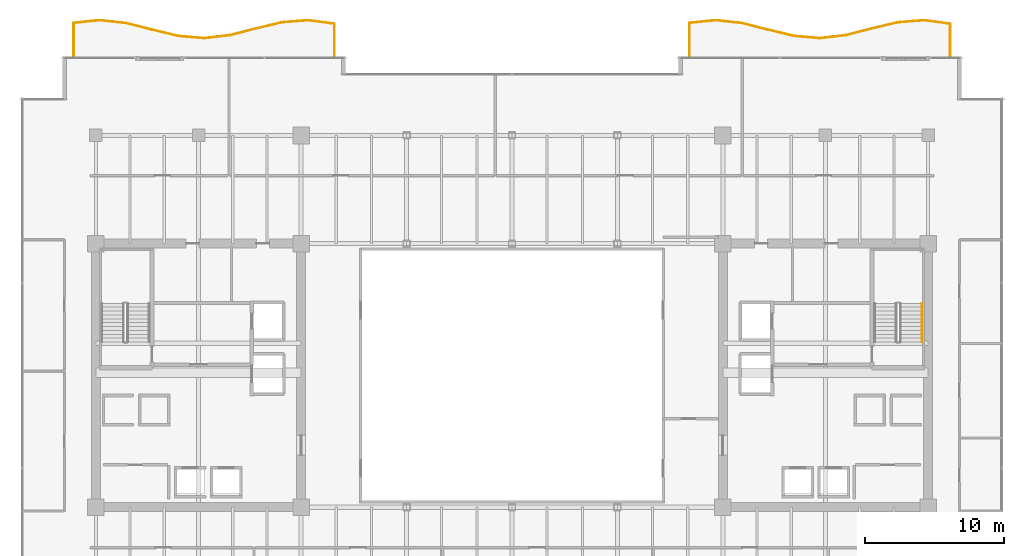
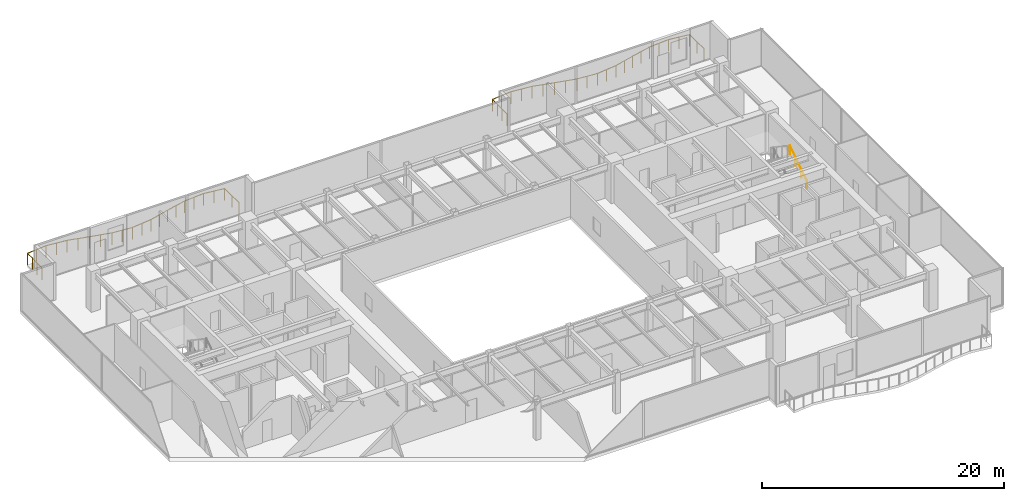
# One storey, part 30 of 30: 3 railings.
"""IFC4 building model written with IfcOpenShell, lengths in metres."""

from ifc_helpers import new_model, si_unit, direction, frame, origin, origin_2d, place, context, subcontext, project, spatial, circle, extrude, source, transform, mapped, material, type_object, type_shapes, element, save


model = new_model("IFC4")

# Units and contexts
model_context = context("Model", 3, precision=1e-05, world=origin(), true_north=direction((0.0, 1.0)))
body_context = subcontext(model_context, "Body", "Model", "MODEL_VIEW")
ifc_project = project(units=[si_unit("LENGTHUNIT", "METRE"), si_unit("AREAUNIT", "SQUARE_METRE"), si_unit("VOLUMEUNIT", "CUBIC_METRE"), si_unit("PLANEANGLEUNIT", "RADIAN"), si_unit("MASSUNIT", "GRAM", prefix="KILO")], contexts=[model_context])

# Site, building, storey
site_placement = place(None, origin())
site = spatial("IfcSite", under=ifc_project, at=site_placement, CompositionType="ELEMENT")
building_placement = place(site_placement, origin())
building = spatial("IfcBuilding", under=site, at=building_placement, Name="Haelvirn Gate Laboratories", CompositionType="ELEMENT")
storey_placement = place(building_placement, frame((0.0, 0.0, 146.10009765625)))
storey = spatial("IfcBuildingStorey", under=building, at=storey_placement, Name="L35", CompositionType="ELEMENT", Elevation=146.10009765625)

# Railings
ifc_material_1 = material(Name="Laminated safety glass & bronze stainless steel 316L", Category="steel")
railing_type_1 = type_object("IfcRailingType", Name="RLG-BAL-1200", PredefinedType="BALUSTRADE", material=ifc_material_1)
shared_shape_1 = source(origin(), body_context, "Body", "SweptSolid", [
    extrude(circle(Radius=0.02392578125, at=origin_2d()), frame((0.0, 0.0, 1.17578125), z_axis=(0.0, 1.0, 0.0), x_axis=(-1.0, 0.0, 0.0)), (0.0, 0.0, 1.0), 2.40966796875),
    extrude(circle(Radius=0.02392578125, at=origin_2d()), frame((0.0, 2.40966796875, 1.17578125), z_axis=(0.994921385933, 0.10065503372, 0.0), x_axis=(-0.10065503372, 0.994921385933, 0.0)), (0.0, 0.0, 1.0), 1.889404296875),
    extrude(circle(Radius=0.02392578125, at=origin_2d()), frame((1.8798828125, 2.599853515625, 1.17578125), z_axis=(0.994269522275, -0.106902371698, 0.0), x_axis=(0.106902371698, 0.994269522275, 0.0)), (0.0, 0.0, 1.0), 1.890869140625),
    extrude(circle(Radius=0.02392578125, at=origin_2d()), frame((3.760009765625, 2.397705078125, 1.17578125), z_axis=(0.969815635384, -0.243839359754, 0.0), x_axis=(0.243839359754, 0.969815635384, 0.0)), (0.0, 0.0, 1.0), 1.9384765625),
    extrude(circle(Radius=0.02392578125, at=origin_2d()), frame((5.639892578125, 1.925048828125, 1.17578125), z_axis=(0.971644887849, -0.23644494479, 0.0), x_axis=(0.23644494479, 0.971644887849, 0.0)), (0.0, 0.0, 1.0), 1.93505859375),
    extrude(circle(Radius=0.02392578125, at=origin_2d()), frame((7.52001953125, 1.467529296875, 1.17578125), z_axis=(0.996111840185, -0.088097683528, 0.0), x_axis=(0.088097683528, 0.996111840185, 0.0)), (0.0, 0.0, 1.0), 1.88720703125),
    extrude(circle(Radius=0.02392578125, at=origin_2d()), frame((9.39990234375, 1.30126953125, 1.17578125), z_axis=(0.992878668586, 0.119129968806, 0.0), x_axis=(-0.119129968806, 0.992878668586, 0.0)), (0.0, 0.0, 1.0), 1.8935546875),
    extrude(circle(Radius=0.02392578125, at=origin_2d()), frame((11.280029296875, 1.52685546875, 1.17578125), z_axis=(0.968795678739, 0.247860712612, 0.0), x_axis=(-0.247860712612, 0.968795678739, 0.0)), (0.0, 0.0, 1.0), 1.9404296875),
    extrude(circle(Radius=0.02392578125, at=origin_2d()), frame((13.159912109375, 2.0078125, 1.17578125), z_axis=(0.972992976677, 0.230834718658, 0.0), x_axis=(-0.230834718658, 0.972992976677, 0.0)), (0.0, 0.0, 1.0), 1.932373046875),
    extrude(circle(Radius=0.02392578125, at=origin_2d()), frame((15.0400390625, 2.453857421875, 1.17578125), z_axis=(0.997165403901, 0.075240662294, 0.0), x_axis=(-0.075240662294, 0.997165403901, 0.0)), (0.0, 0.0, 1.0), 1.88525390625),
    extrude(circle(Radius=0.02392578125, at=origin_2d()), frame((16.919921875, 2.595703125, 1.17578125), z_axis=(0.991392401811, -0.130924045272, 0.0), x_axis=(0.130924045272, 0.991392401811, 0.0)), (0.0, 0.0, 1.0), 1.896484375),
    extrude(circle(Radius=0.02392578125, at=origin_2d()), frame((18.800048828125, 2.347412109375, 1.17578125), z_axis=(0.0, -1.0, 0.0), x_axis=(1.0, 0.0, 0.0)), (0.0, 0.0, 1.0), 2.347412109375),
    extrude(circle(Radius=0.02099609375, at=origin_2d()), origin(), (0.0, 0.0, 1.0), 1.15185546875),
    extrude(circle(Radius=0.02099609375, at=origin_2d()), frame((0.0, 0.80322265625, 0.0)), (0.0, 0.0, 1.0), 1.15185546875),
    extrude(circle(Radius=0.02099609375, at=origin_2d()), frame((0.0, 1.6064453125, 0.0)), (0.0, 0.0, 1.0), 1.15185546875),
    extrude(circle(Radius=0.02099609375, at=origin_2d()), frame((0.0, 2.40966796875, 0.0)), (0.0, 0.0, 1.0), 1.15185546875),
    extrude(circle(Radius=0.02099609375, at=origin_2d()), frame((0.93994140625, 2.5048828125, 0.0)), (0.0, 0.0, 1.0), 1.15185546875),
    extrude(circle(Radius=0.02099609375, at=origin_2d()), frame((1.8798828125, 2.599853515625, 0.0)), (0.0, 0.0, 1.0), 1.15185546875),
    extrude(circle(Radius=0.02099609375, at=origin_2d()), frame((2.81982421875, 2.498779296875, 0.0)), (0.0, 0.0, 1.0), 1.15185546875),
    extrude(circle(Radius=0.02099609375, at=origin_2d()), frame((3.760009765625, 2.397705078125, 0.0)), (0.0, 0.0, 1.0), 1.15185546875),
    extrude(circle(Radius=0.02099609375, at=origin_2d()), frame((4.699951171875, 2.161376953125, 0.0)), (0.0, 0.0, 1.0), 1.15185546875),
    extrude(circle(Radius=0.02099609375, at=origin_2d()), frame((5.639892578125, 1.925048828125, 0.0)), (0.0, 0.0, 1.0), 1.15185546875),
    extrude(circle(Radius=0.02099609375, at=origin_2d()), frame((6.580078125, 1.6962890625, 0.0)), (0.0, 0.0, 1.0), 1.15185546875),
    extrude(circle(Radius=0.02099609375, at=origin_2d()), frame((7.52001953125, 1.467529296875, 0.0)), (0.0, 0.0, 1.0), 1.15185546875),
    extrude(circle(Radius=0.02099609375, at=origin_2d()), frame((8.4599609375, 1.38427734375, 0.0)), (0.0, 0.0, 1.0), 1.15185546875),
    extrude(circle(Radius=0.02099609375, at=origin_2d()), frame((9.39990234375, 1.30126953125, 0.0)), (0.0, 0.0, 1.0), 1.15185546875),
    extrude(circle(Radius=0.02099609375, at=origin_2d()), frame((10.33984375, 1.4140625, 0.0)), (0.0, 0.0, 1.0), 1.15185546875),
    extrude(circle(Radius=0.02099609375, at=origin_2d()), frame((11.280029296875, 1.52685546875, 0.0)), (0.0, 0.0, 1.0), 1.15185546875),
    extrude(circle(Radius=0.02099609375, at=origin_2d()), frame((12.219970703125, 1.767333984375, 0.0)), (0.0, 0.0, 1.0), 1.15185546875),
    extrude(circle(Radius=0.02099609375, at=origin_2d()), frame((13.159912109375, 2.0078125, 0.0)), (0.0, 0.0, 1.0), 1.15185546875),
    extrude(circle(Radius=0.02099609375, at=origin_2d()), frame((14.10009765625, 2.23095703125, 0.0)), (0.0, 0.0, 1.0), 1.15185546875),
    extrude(circle(Radius=0.02099609375, at=origin_2d()), frame((15.0400390625, 2.453857421875, 0.0)), (0.0, 0.0, 1.0), 1.15185546875),
    extrude(circle(Radius=0.02099609375, at=origin_2d()), frame((15.97998046875, 2.52490234375, 0.0)), (0.0, 0.0, 1.0), 1.15185546875),
    extrude(circle(Radius=0.02099609375, at=origin_2d()), frame((16.919921875, 2.595703125, 0.0)), (0.0, 0.0, 1.0), 1.15185546875),
    extrude(circle(Radius=0.02099609375, at=origin_2d()), frame((17.85986328125, 2.4716796875, 0.0)), (0.0, 0.0, 1.0), 1.15185546875),
    extrude(circle(Radius=0.02099609375, at=origin_2d()), frame((18.800048828125, 2.347412109375, 0.0)), (0.0, 0.0, 1.0), 1.15185546875),
    extrude(circle(Radius=0.02099609375, at=origin_2d()), frame((18.800048828125, 1.173828125, 0.0)), (0.0, 0.0, 1.0), 1.15185546875),
    extrude(circle(Radius=0.02099609375, at=origin_2d()), frame((18.800048828125, 0.0, 0.0)), (0.0, 0.0, 1.0), 1.15185546875),
])
railing_1_placement = place(storey_placement, frame((5.800048828125, 47.300048828125, 0.0)))
element("IfcRailing", 1, at=railing_1_placement, inside=storey, type_object=railing_type_1, Name="L35 Wave Balcony Balustrade WL-N", PredefinedType="BALUSTRADE", context=body_context, shape_type="MappedRepresentation", body=[
    mapped(shared_shape_1, transform((0.0, 0.0, 0.0), scale=1.0)),
])
shared_shape_2 = source(origin(), body_context, "Body", "SweptSolid", [
    extrude(circle(Radius=0.02392578125, at=origin_2d()), frame((0.0, 0.0, 1.17578125), z_axis=(0.0, 1.0, 0.0), x_axis=(-1.0, 0.0, 0.0)), (0.0, 0.0, 1.0), 2.40966796875),
    extrude(circle(Radius=0.02392578125, at=origin_2d()), frame((0.0, 2.40966796875, 1.17578125), z_axis=(0.994922694769, 0.100642095731, 0.0), x_axis=(-0.100642095731, 0.994922694769, 0.0)), (0.0, 0.0, 1.0), 1.8896484375),
    extrude(circle(Radius=0.02392578125, at=origin_2d()), frame((1.880126953125, 2.599853515625, 1.17578125), z_axis=(0.994268046517, -0.106916096431, 0.0), x_axis=(0.106916096431, 0.994268046517, 0.0)), (0.0, 0.0, 1.0), 1.890625),
    extrude(circle(Radius=0.02392578125, at=origin_2d()), frame((3.760009765625, 2.397705078125, 1.17578125), z_axis=(0.969823122706, -0.243809578699, 0.0), x_axis=(0.243809578699, 0.969823122706, 0.0)), (0.0, 0.0, 1.0), 1.938720703125),
    extrude(circle(Radius=0.02392578125, at=origin_2d()), frame((5.64013671875, 1.925048828125, 1.17578125), z_axis=(0.971637832794, -0.23647393489, 0.0), x_axis=(0.23647393489, 0.971637832794, 0.0)), (0.0, 0.0, 1.0), 1.934814453125),
    extrude(circle(Radius=0.02392578125, at=origin_2d()), frame((7.52001953125, 1.467529296875, 1.17578125), z_axis=(0.99611284402, -0.088086332525, 0.0), x_axis=(0.088086332525, 0.99611284402, 0.0)), (0.0, 0.0, 1.0), 1.887451171875),
    extrude(circle(Radius=0.02392578125, at=origin_2d()), frame((9.400146484375, 1.30126953125, 1.17578125), z_axis=(0.992876838487, 0.119145220618, 0.0), x_axis=(-0.119145220618, 0.992876838487, 0.0)), (0.0, 0.0, 1.0), 1.893310546875),
    extrude(circle(Radius=0.02392578125, at=origin_2d()), frame((11.280029296875, 1.52685546875, 1.17578125), z_axis=(0.968803406923, 0.247830504043, 0.0), x_axis=(-0.247830504043, 0.968803406923, 0.0)), (0.0, 0.0, 1.0), 1.940673828125),
    extrude(circle(Radius=0.02392578125, at=origin_2d()), frame((13.16015625, 2.0078125, 1.17578125), z_axis=(0.972986243114, 0.230863099502, 0.0), x_axis=(-0.230863099502, 0.972986243114, 0.0)), (0.0, 0.0, 1.0), 1.93212890625),
    extrude(circle(Radius=0.02392578125, at=origin_2d()), frame((15.0400390625, 2.453857421875, 1.17578125), z_axis=(0.99716613689, 0.075230947349, 0.0), x_axis=(-0.075230947349, 0.99716613689, 0.0)), (0.0, 0.0, 1.0), 1.885498046875),
    extrude(circle(Radius=0.02392578125, at=origin_2d()), frame((16.920166015625, 2.595703125, 1.17578125), z_axis=(0.991390194719, -0.130940756887, 0.0), x_axis=(0.130940756887, 0.991390194719, 0.0)), (0.0, 0.0, 1.0), 1.896240234375),
    extrude(circle(Radius=0.02392578125, at=origin_2d()), frame((18.800048828125, 2.347412109375, 1.17578125), z_axis=(0.0, -1.0, 0.0), x_axis=(1.0, 0.0, 0.0)), (0.0, 0.0, 1.0), 2.347412109375),
    extrude(circle(Radius=0.02099609375, at=origin_2d()), origin(), (0.0, 0.0, 1.0), 1.15185546875),
    extrude(circle(Radius=0.02099609375, at=origin_2d()), frame((0.0, 0.80322265625, 0.0)), (0.0, 0.0, 1.0), 1.15185546875),
    extrude(circle(Radius=0.02099609375, at=origin_2d()), frame((0.0, 1.6064453125, 0.0)), (0.0, 0.0, 1.0), 1.15185546875),
    extrude(circle(Radius=0.02099609375, at=origin_2d()), frame((0.0, 2.40966796875, 0.0)), (0.0, 0.0, 1.0), 1.15185546875),
    extrude(circle(Radius=0.02099609375, at=origin_2d()), frame((0.93994140625, 2.5048828125, 0.0)), (0.0, 0.0, 1.0), 1.15185546875),
    extrude(circle(Radius=0.02099609375, at=origin_2d()), frame((1.880126953125, 2.599853515625, 0.0)), (0.0, 0.0, 1.0), 1.15185546875),
    extrude(circle(Radius=0.02099609375, at=origin_2d()), frame((2.820068359375, 2.498779296875, 0.0)), (0.0, 0.0, 1.0), 1.15185546875),
    extrude(circle(Radius=0.02099609375, at=origin_2d()), frame((3.760009765625, 2.397705078125, 0.0)), (0.0, 0.0, 1.0), 1.15185546875),
    extrude(circle(Radius=0.02099609375, at=origin_2d()), frame((4.7001953125, 2.161376953125, 0.0)), (0.0, 0.0, 1.0), 1.15185546875),
    extrude(circle(Radius=0.02099609375, at=origin_2d()), frame((5.64013671875, 1.925048828125, 0.0)), (0.0, 0.0, 1.0), 1.15185546875),
    extrude(circle(Radius=0.02099609375, at=origin_2d()), frame((6.580078125, 1.6962890625, 0.0)), (0.0, 0.0, 1.0), 1.15185546875),
    extrude(circle(Radius=0.02099609375, at=origin_2d()), frame((7.52001953125, 1.467529296875, 0.0)), (0.0, 0.0, 1.0), 1.15185546875),
    extrude(circle(Radius=0.02099609375, at=origin_2d()), frame((8.4599609375, 1.38427734375, 0.0)), (0.0, 0.0, 1.0), 1.15185546875),
    extrude(circle(Radius=0.02099609375, at=origin_2d()), frame((9.400146484375, 1.30126953125, 0.0)), (0.0, 0.0, 1.0), 1.15185546875),
    extrude(circle(Radius=0.02099609375, at=origin_2d()), frame((10.340087890625, 1.4140625, 0.0)), (0.0, 0.0, 1.0), 1.15185546875),
    extrude(circle(Radius=0.02099609375, at=origin_2d()), frame((11.280029296875, 1.52685546875, 0.0)), (0.0, 0.0, 1.0), 1.15185546875),
    extrude(circle(Radius=0.02099609375, at=origin_2d()), frame((12.22021484375, 1.767333984375, 0.0)), (0.0, 0.0, 1.0), 1.15185546875),
    extrude(circle(Radius=0.02099609375, at=origin_2d()), frame((13.16015625, 2.0078125, 0.0)), (0.0, 0.0, 1.0), 1.15185546875),
    extrude(circle(Radius=0.02099609375, at=origin_2d()), frame((14.10009765625, 2.23095703125, 0.0)), (0.0, 0.0, 1.0), 1.15185546875),
    extrude(circle(Radius=0.02099609375, at=origin_2d()), frame((15.0400390625, 2.453857421875, 0.0)), (0.0, 0.0, 1.0), 1.15185546875),
    extrude(circle(Radius=0.02099609375, at=origin_2d()), frame((15.97998046875, 2.52490234375, 0.0)), (0.0, 0.0, 1.0), 1.15185546875),
    extrude(circle(Radius=0.02099609375, at=origin_2d()), frame((16.920166015625, 2.595703125, 0.0)), (0.0, 0.0, 1.0), 1.15185546875),
    extrude(circle(Radius=0.02099609375, at=origin_2d()), frame((17.860107421875, 2.4716796875, 0.0)), (0.0, 0.0, 1.0), 1.15185546875),
    extrude(circle(Radius=0.02099609375, at=origin_2d()), frame((18.800048828125, 2.347412109375, 0.0)), (0.0, 0.0, 1.0), 1.15185546875),
    extrude(circle(Radius=0.02099609375, at=origin_2d()), frame((18.800048828125, 1.173828125, 0.0)), (0.0, 0.0, 1.0), 1.15185546875),
    extrude(circle(Radius=0.02099609375, at=origin_2d()), frame((18.800048828125, 0.0, 0.0)), (0.0, 0.0, 1.0), 1.15185546875),
])
type_shapes(railing_type_1, [shared_shape_1, shared_shape_2])
railing_2_placement = place(storey_placement, frame((50.199951171875, 47.300048828125, 0.0)))
element("IfcRailing", 2, at=railing_2_placement, inside=storey, type_object=railing_type_1, Name="L35 Wave Balcony Balustrade EL-N", PredefinedType="BALUSTRADE", context=body_context, shape_type="MappedRepresentation", body=[
    mapped(shared_shape_2, transform((0.0, 0.0, 0.0), scale=1.0)),
])
ifc_material_2 = material(Name="Brushed stainless steel 316L", Category="steel")
railing_type_2 = type_object("IfcRailingType", Name="RL-HAND-920", PredefinedType="HANDRAIL", material=ifc_material_2)
shared_shape_3 = source(origin(), body_context, "Body", "SweptSolid", [
    extrude(circle(Radius=0.02392578125, at=origin_2d()), frame((0.0, 0.0, 0.8759765625), z_axis=(0.0, 0.832485552168, 0.554046753832), x_axis=(-1.0, 0.0, 0.0)), (0.0, 0.0, 1.0), 3.363525390625),
    extrude(circle(Radius=0.02099609375, at=origin_2d()), origin(), (0.0, 0.0, 1.0), 0.851806640625),
    extrude(circle(Radius=0.02099609375, at=origin_2d()), frame((0.0, 0.933349609375, 0.62109375)), (0.0, 0.0, 1.0), 0.851806640625),
    extrude(circle(Radius=0.02099609375, at=origin_2d()), frame((0.0, 1.86669921875, 1.242431640625)), (0.0, 0.0, 1.0), 0.851806640625),
    extrude(circle(Radius=0.02099609375, at=origin_2d()), frame((0.0, 2.800048828125, 1.863525390625)), (0.0, 0.0, 1.0), 0.851806640625),
])
type_shapes(railing_type_2, [shared_shape_3])
railing_3_placement = place(storey_placement, frame((66.949951171875, 26.699951171875, 0.186279296875)))
element("IfcRailing", 3, at=railing_3_placement, inside=storey, type_object=railing_type_2, Name="L35 ST2 stair handrail 1", PredefinedType="HANDRAIL", context=body_context, shape_type="MappedRepresentation", body=[
    mapped(shared_shape_3, transform((0.0, 0.0, 0.0), scale=1.0)),
])

save(model, "model.ifc")
